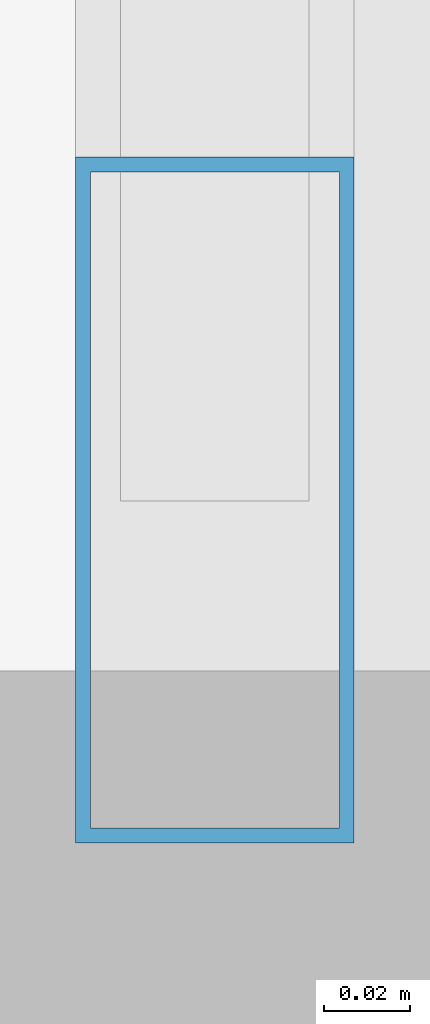
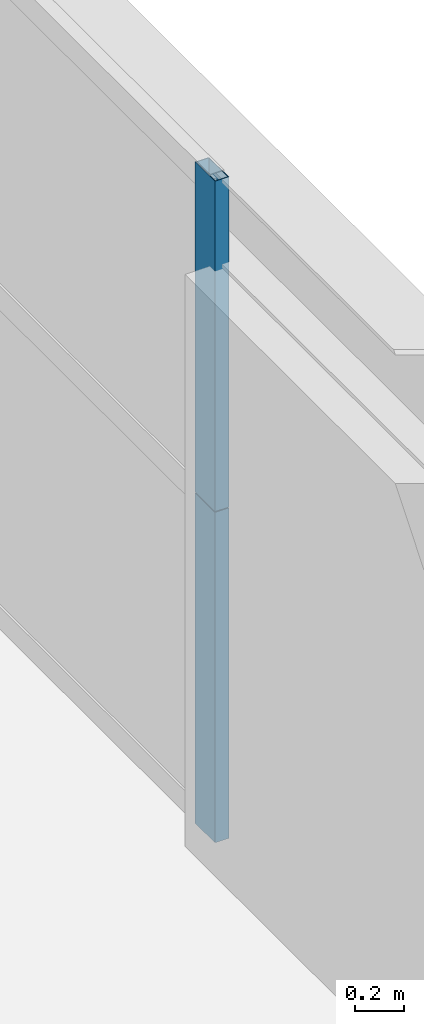
# One storey, part 16 of 35: 2 members, 1 element without a shape of its own.
"""IFC4 building model written with IfcOpenShell, lengths in metres."""

from ifc_helpers import new_model, si_unit, direction, frame, origin, origin_2d, place, context, subcontext, project, spatial, hollow_rectangle, extrude, source, transform, mapped, material, layer, layer_set, material_profile, profile_set, type_object, element, aggregate, save


model = new_model("IFC4")

# Units and contexts
model_context = context("Model", 3, precision=1e-05, world=origin(), true_north=direction((0.0, 1.0)))
body_context = subcontext(model_context, "Body", "Model", "MODEL_VIEW")
ifc_project = project(units=[si_unit("LENGTHUNIT", "METRE"), si_unit("AREAUNIT", "SQUARE_METRE"), si_unit("VOLUMEUNIT", "CUBIC_METRE"), si_unit("PLANEANGLEUNIT", "RADIAN"), si_unit("MASSUNIT", "GRAM", prefix="KILO"), si_unit("THERMODYNAMICTEMPERATUREUNIT", "KELVIN"), si_unit("POWERUNIT", "WATT")], contexts=[model_context])

# Site, building, storey
site_placement = place(None, origin())
site = spatial("IfcSite", under=ifc_project, at=site_placement, CompositionType="ELEMENT")
building_placement = place(site_placement, origin())
building = spatial("IfcBuilding", under=site, at=building_placement, Name="Yuzanri Waterfront Tower", CompositionType="ELEMENT")
storey_placement = place(building_placement, frame((0.0, 0.0, 271.60009765625)))
storey = spatial("IfcBuildingStorey", under=building, at=storey_placement, Name="L72", CompositionType="ELEMENT", Elevation=271.60009765625)

# Curtain wall, members
ifc_material_1 = material(Name="Anodized Architectural Bronze", Category="metal")
ifc_layer = layer(ifc_material_1, 0.159912109375)
ifc_layer_set = layer_set([ifc_layer], Name="Anodized Architectural Bronze")
curtain_wall_type = type_object("IfcCurtainWallType", Name="Anodized Bronze Mid-Rise Residential Acoustic Unitized Curtain Wall 7200", PredefinedType="NOTDEFINED", material=ifc_layer_set)
curtain_wall_placement = place(storey_placement, origin())
curtain_wall = element("IfcCurtainWall", 1, at=curtain_wall_placement, inside=storey, type_object=curtain_wall_type, Name="L72 Curtain Wall CW-L72-EL", PredefinedType="NOTDEFINED")
ifc_material_2 = material(Name="Anodized Architectural Bronze", Category="metal")
ifc_material_profile = material_profile(ifc_material_2, hollow_rectangle(XDim=0.06494140625, YDim=0.159912109375, WallThickness=0.00341796875, at=origin_2d()), Name="CWM 65x160")
ifc_profile_set = profile_set([ifc_material_profile], Name="Anodized Architectural Bronze")
member_type = type_object("IfcMemberType", Name="Anodized Bronze Upper-Zone Curtain-Wall Mullion 65x160", PredefinedType="MULLION", material=ifc_profile_set)
shared_shape = source(origin(), body_context, "Body", "SweptSolid", [
    extrude(hollow_rectangle(XDim=0.06494140625, YDim=0.159912109375, WallThickness=0.00341796875, at=origin_2d()), origin(), (0.0, 0.0, 1.0), 1.637939453125),
])
member_1_placement = place(storey_placement, frame((57.449951171875, 12.590087890625, 0.0), z_axis=(0.0, 0.0, 1.0), x_axis=(1.0, 0.0, 0.0)))
member_1 = element("IfcMember", 2, at=member_1_placement, type_object=member_type, Name="CW-L72-EL Lower Mullion 00", PredefinedType="MULLION", context=body_context, shape_type="MappedRepresentation", body=[
    mapped(shared_shape, transform((0.0, 0.0, 0.0), scale=1.0)),
])
member_2_placement = place(storey_placement, frame((57.449951171875, 12.590087890625, 1.641845703125), z_axis=(0.0, 0.0, 1.0), x_axis=(1.0, 0.0, 0.0)))
member_2 = element("IfcMember", 3, at=member_2_placement, type_object=member_type, Name="CW-L72-EL Upper Mullion 00", PredefinedType="MULLION", context=body_context, shape_type="MappedRepresentation", body=[
    mapped(shared_shape, transform((0.0, 0.0, 0.0), scale=1.0)),
])
aggregate(curtain_wall, [member_1, member_2])

save(model, "model.ifc")
